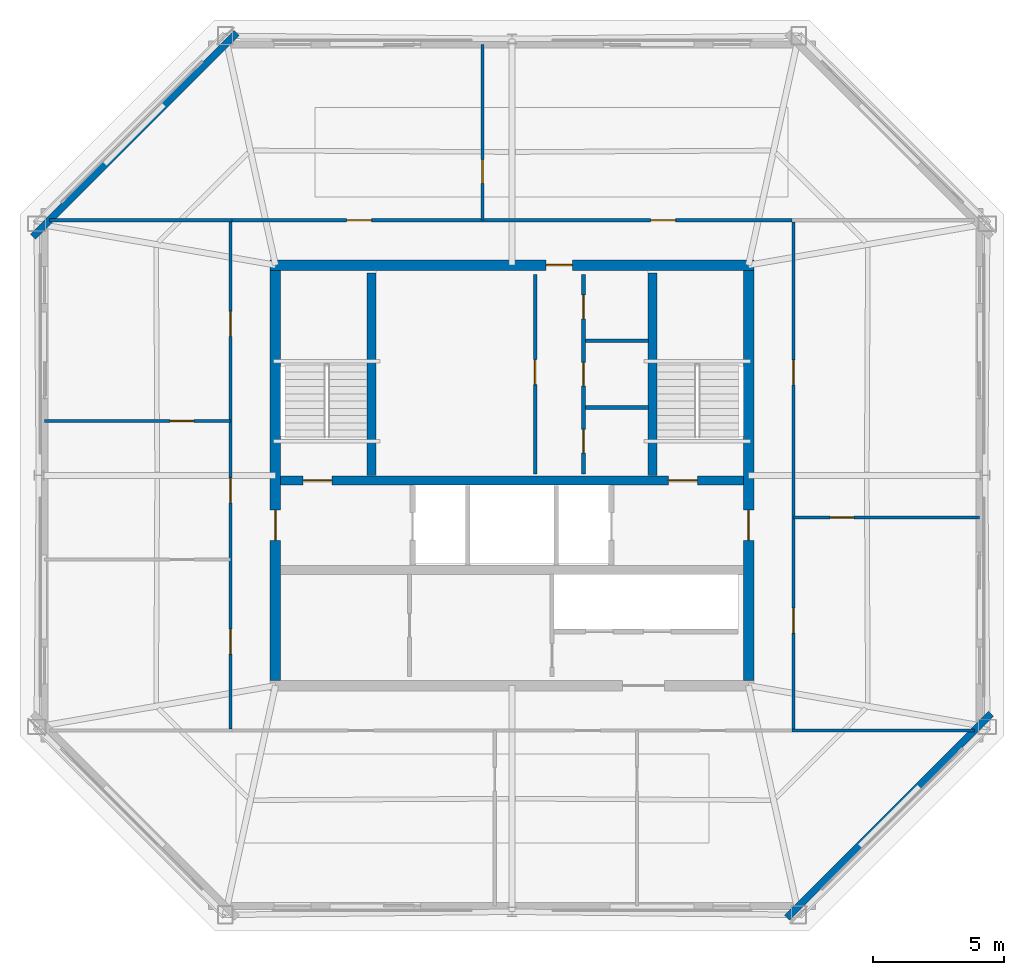
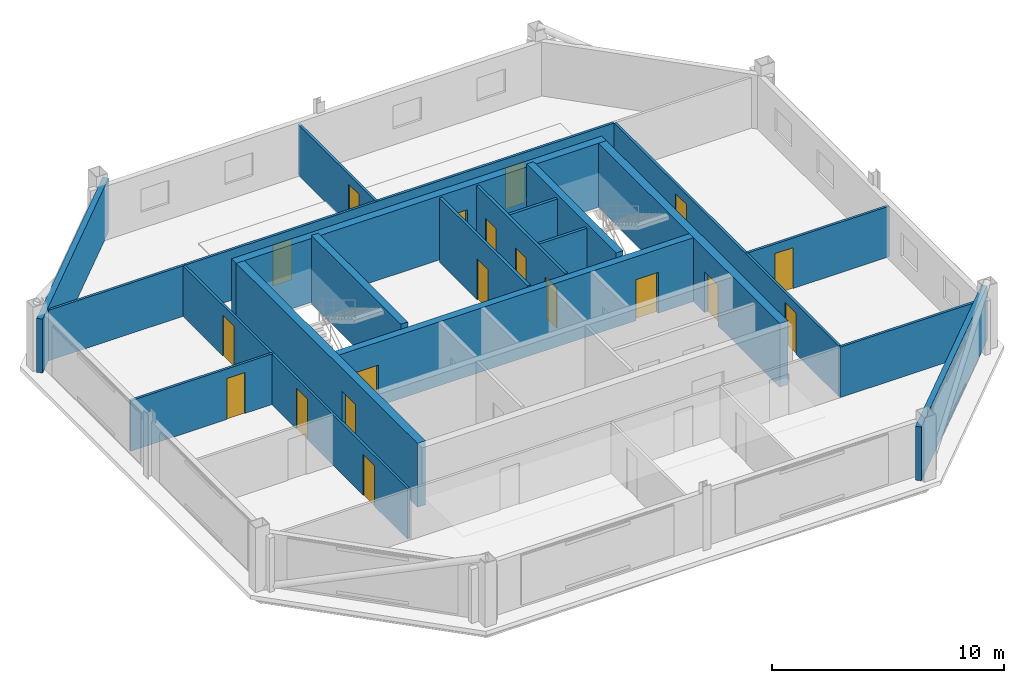
# One storey, part 3 of 6: 20 walls, 19 doors, 19 openings.
"""IFC4 building model written with IfcOpenShell, lengths in metres."""

from ifc_helpers import new_model, si_unit, direction, frame, frame_2d, origin, place, context, subcontext, project, spatial, rectangle, extrude, material, layer, layer_set, type_object, element, fill, save


model = new_model("IFC4")

# Units and contexts
model_context = context("Model", 3, precision=1e-05, world=origin(), true_north=direction((0.0, 1.0)))
body_context = subcontext(model_context, "Body", "Model", "MODEL_VIEW")
ifc_project = project(units=[si_unit("LENGTHUNIT", "METRE"), si_unit("AREAUNIT", "SQUARE_METRE"), si_unit("VOLUMEUNIT", "CUBIC_METRE"), si_unit("PLANEANGLEUNIT", "RADIAN"), si_unit("MASSUNIT", "GRAM", prefix="KILO")], contexts=[model_context])

# Site, building, storey
site_placement = place(None, origin())
site = spatial("IfcSite", under=ifc_project, at=site_placement, CompositionType="ELEMENT")
building_placement = place(site_placement, origin())
building = spatial("IfcBuilding", under=site, at=building_placement, Name="Caelvoria Tower", CompositionType="ELEMENT")
storey_placement = place(building_placement, frame((0.0, 0.0, 264.60009765625)))
storey = spatial("IfcBuildingStorey", under=building, at=storey_placement, Name="L70", CompositionType="ELEMENT", Elevation=264.60009765625)

# Wall, openings, doors
ifc_material_1 = material(Name="Concrete C50/60", Category="concrete")
ifc_layer_1 = layer(ifc_material_1, 0.35009765625, Name="Concrete C50/60")
ifc_layer_set_1 = layer_set([ifc_layer_1], Name="Core Internal Shear Wall 350 - Concrete C50/60")
wall_type_1 = type_object("IfcWallType", Name="Core Internal Shear Wall 350", PredefinedType="SHEAR", material=ifc_layer_set_1)
wall_1_placement = place(storey_placement, frame((37.199951171875, 31.800048828125, 0.0), z_axis=(0.0, 0.0, 1.0), x_axis=(1.0, 0.0, 0.0)))
wall_1 = element("IfcWall", 1, at=wall_1_placement, inside=storey, type_object=wall_type_1, Name="Core Shear Wall L70 M1", PredefinedType="SHEAR", context=body_context, shape_type="SweptSolid", body=[
    extrude(rectangle(XDim=17.60009765625, YDim=0.35009765625, at=frame_2d((8.800048828125, 0.0))), origin(), (0.0, 0.0, 1.0), 3.35986328125),
])
opening_1_placement = place(wall_1_placement, frame((0.85009765625, 0.0, 0.0)))
opening_1 = element("IfcOpeningElement", 2, at=opening_1_placement, cuts=wall_1, Name="Opening ID-01", PredefinedType="OPENING", context=body_context, shape_type="SweptSolid", body=[
    extrude(rectangle(XDim=1.10009765625, YDim=2.14990234375, at=frame_2d((0.550048828125, 1.074951171875))), frame((0.0, 0.18505859375, 0.0), z_axis=(0.0, -1.0, 0.0), x_axis=(1.0, 0.0, 0.0)), (0.0, 0.0, 1.0), 0.3701171875),
])
opening_2_placement = place(wall_1_placement, frame((14.75, 0.0, 0.0)))
opening_2 = element("IfcOpeningElement", 3, at=opening_2_placement, cuts=wall_1, Name="Opening ID-01", PredefinedType="OPENING", context=body_context, shape_type="SweptSolid", body=[
    extrude(rectangle(XDim=1.10009765625, YDim=2.14990234375, at=frame_2d((0.550048828125, 1.074951171875))), frame((0.0, 0.18505859375, 0.0), z_axis=(0.0, -1.0, 0.0), x_axis=(1.0, 0.0, 0.0)), (0.0, 0.0, 1.0), 0.3701171875),
])
ifc_material_2 = material(Name="Painted Hollow Steel Fire Door", Category="steel")
door_type_1 = type_object("IfcDoorType", Name="Fire Door FD90S 1100x2150", OperationType="NOTDEFINED", PredefinedType="DOOR", material=ifc_material_2)
door_1_placement = place(opening_1_placement, origin())
door_1 = element("IfcDoor", 4, at=door_1_placement, inside=storey, type_object=door_type_1, Name="Core Door DR-L70-ST1", OperationType="SINGLE_SWING_LEFT", OverallHeight=2.14990234375, OverallWidth=1.10009765625, PredefinedType="DOOR", context=body_context, shape_type="SweptSolid", body=[
    extrude(rectangle(XDim=1.10009765625, YDim=2.14990234375, at=frame_2d((0.550048828125, 1.074951171875))), frame((0.0, 0.02490234375, 0.0), z_axis=(0.0, -1.0, 0.0), x_axis=(1.0, 0.0, 0.0)), (0.0, 0.0, 1.0), 0.050048828125),
])
fill(opening_1, door_1)
door_2_placement = place(opening_2_placement, origin())
door_2 = element("IfcDoor", 5, at=door_2_placement, inside=storey, type_object=door_type_1, Name="Core Door DR-L70-ST2", OperationType="SINGLE_SWING_RIGHT", OverallHeight=2.14990234375, OverallWidth=1.10009765625, PredefinedType="DOOR", context=body_context, shape_type="SweptSolid", body=[
    extrude(rectangle(XDim=1.10009765625, YDim=2.14990234375, at=frame_2d((0.550048828125, 1.074951171875))), frame((0.0, 0.02490234375, 0.0), z_axis=(0.0, -1.0, 0.0), x_axis=(1.0, 0.0, 0.0)), (0.0, 0.0, 1.0), 0.050048828125),
])
fill(opening_2, door_2)

# Walls
for number, where, z_axis, x_axis, name in (
    (6, (40.64990234375, 32.0, 0.0), (0.0, 0.0, 1.0), (0.0, 1.0, 0.0), "Interior Partition IW-L70-ST1E"),
    (7, (51.35009765625, 32.0, 0.0), (0.0, 0.0, 1.0), (0.0, 1.0, 0.0), "Interior Partition IW-L70-ST2W"),
):
    element("IfcWall", number, at=place(storey_placement, frame(where, z_axis=z_axis, x_axis=x_axis)), inside=storey, type_object=wall_type_1, Name=name, PredefinedType="SHEAR", context=body_context, shape_type="SweptSolid", body=[
        extrude(rectangle(XDim=7.699951171875, YDim=0.35009765625, at=frame_2d((3.85009765625, 0.0))), origin(), (0.0, 0.0, 1.0), 3.599853515625),
    ])

# Wall, opening, door
ifc_material_3 = material(Name="Moisture-Resistant Gypsum on Steel Stud", Category="steel")
ifc_layer_2 = layer(ifc_material_3, 0.139892578125, Name="Moisture-Resistant Gypsum on Steel Stud")
ifc_layer_set_2 = layer_set([ifc_layer_2], Name="Core Sanitary Acoustic Partition Wall 140 - Moisture-Resistant Gypsum on Steel Stud")
wall_type_2 = type_object("IfcWallType", Name="Core Sanitary Acoustic Partition Wall 140", PredefinedType="PARTITIONING", material=ifc_layer_set_2)
wall_2_placement = place(storey_placement, frame((46.8798828125, 32.050048828125, 0.0), z_axis=(0.0, 0.0, 1.0), x_axis=(0.0, 1.0, 0.0)))
wall_2 = element("IfcWall", 8, at=wall_2_placement, inside=storey, type_object=wall_type_2, Name="Interior Partition IW-L70-C2L", PredefinedType="PARTITIONING", context=body_context, shape_type="SweptSolid", body=[
    extrude(rectangle(XDim=7.599853515625, YDim=0.139892578125, at=frame_2d((3.7998046875, 0.0))), origin(), (0.0, 0.0, 1.0), 3.375),
])
opening_3_placement = place(wall_2_placement, frame((3.39990234375, 0.0, 0.0)))
opening_3 = element("IfcOpeningElement", 9, at=opening_3_placement, cuts=wall_2, Name="Opening ID-05", PredefinedType="OPENING", context=body_context, shape_type="SweptSolid", body=[
    extrude(rectangle(XDim=0.949951171875, YDim=2.14990234375, at=frame_2d((0.47509765625, 1.074951171875))), frame((0.0, 0.079833984375, 0.0), z_axis=(0.0, -1.0, 0.0), x_axis=(1.0, 0.0, 0.0)), (0.0, 0.0, 1.0), 0.159912109375),
])
ifc_material_4 = material(Name="Engineered Andean Oak Veneer Door", Category="wood")
door_type_2 = type_object("IfcDoorType", Name="Interior Timber Door 950x2150", OperationType="NOTDEFINED", PredefinedType="DOOR", material=ifc_material_4)
door_3_placement = place(opening_3_placement, origin())
door_3 = element("IfcDoor", 10, at=door_3_placement, inside=storey, type_object=door_type_2, Name="Interior Door DR-L70-C2W", OperationType="SINGLE_SWING_LEFT", OverallHeight=2.14990234375, OverallWidth=0.949951171875, PredefinedType="DOOR", context=body_context, shape_type="SweptSolid", body=[
    extrude(rectangle(XDim=0.949951171875, YDim=2.14990234375, at=frame_2d((0.47509765625, 1.074951171875))), frame((0.0, 0.02490234375, 0.0), z_axis=(0.0, -1.0, 0.0), x_axis=(1.0, 0.0, 0.0)), (0.0, 0.0, 1.0), 0.050048828125),
])
fill(opening_3, door_3)

# Wall, openings, doors
wall_3_placement = place(storey_placement, frame((48.719970703125, 32.050048828125, 0.0), z_axis=(0.0, 0.0, 1.0), x_axis=(0.0, 1.0, 0.0)))
wall_3 = element("IfcWall", 11, at=wall_3_placement, inside=storey, type_object=wall_type_2, Name="Interior Partition IW-L70-C2R", PredefinedType="PARTITIONING", context=body_context, shape_type="SweptSolid", body=[
    extrude(rectangle(XDim=7.599853515625, YDim=0.139892578125, at=frame_2d((3.7998046875, 0.0))), origin(), (0.0, 0.0, 1.0), 3.375),
])
opening_4_placement = place(wall_3_placement, frame((0.800048828125, 0.0, 0.0)))
opening_4 = element("IfcOpeningElement", 12, at=opening_4_placement, cuts=wall_3, Name="Opening ID-04", PredefinedType="OPENING", context=body_context, shape_type="SweptSolid", body=[
    extrude(rectangle(XDim=0.89990234375, YDim=2.14990234375, at=frame_2d((0.449951171875, 1.074951171875))), frame((0.0, 0.079833984375, 0.0), z_axis=(0.0, -1.0, 0.0), x_axis=(1.0, 0.0, 0.0)), (0.0, 0.0, 1.0), 0.159912109375),
])
opening_5_placement = place(wall_3_placement, frame((3.35009765625, 0.0, 0.0)))
opening_5 = element("IfcOpeningElement", 13, at=opening_5_placement, cuts=wall_3, Name="Opening ID-06", PredefinedType="OPENING", context=body_context, shape_type="SweptSolid", body=[
    extrude(rectangle(XDim=0.89990234375, YDim=2.14990234375, at=frame_2d((0.449951171875, 1.074951171875))), frame((0.0, 0.079833984375, 0.0), z_axis=(0.0, -1.0, 0.0), x_axis=(1.0, 0.0, 0.0)), (0.0, 0.0, 1.0), 0.159912109375),
])
opening_6_placement = place(wall_3_placement, frame((5.89990234375, 0.0, 0.0)))
opening_6 = element("IfcOpeningElement", 14, at=opening_6_placement, cuts=wall_3, Name="Opening ID-07", PredefinedType="OPENING", context=body_context, shape_type="SweptSolid", body=[
    extrude(rectangle(XDim=0.919921875, YDim=2.14990234375, at=frame_2d((0.4599609375, 1.074951171875))), frame((0.0, 0.079833984375, 0.0), z_axis=(0.0, -1.0, 0.0), x_axis=(1.0, 0.0, 0.0)), (0.0, 0.0, 1.0), 0.159912109375),
])
ifc_material_5 = material(Name="Engineered Andean Oak Accessible Door", Category="wood")
door_type_3 = type_object("IfcDoorType", Name="Accessible WC Door 950x2150", OperationType="NOTDEFINED", PredefinedType="DOOR", material=ifc_material_5)
door_4_placement = place(opening_6_placement, origin())
door_4 = element("IfcDoor", 15, at=door_4_placement, inside=storey, type_object=door_type_3, Name="Interior Door DR-L70-C2E3", OperationType="SINGLE_SWING_RIGHT", OverallHeight=2.14990234375, OverallWidth=0.919921875, PredefinedType="DOOR", context=body_context, shape_type="SweptSolid", body=[
    extrude(rectangle(XDim=0.919921875, YDim=2.14990234375, at=frame_2d((0.4599609375, 1.074951171875))), frame((0.0, 0.02490234375, 0.0), z_axis=(0.0, -1.0, 0.0), x_axis=(1.0, 0.0, 0.0)), (0.0, 0.0, 1.0), 0.050048828125),
])
fill(opening_6, door_4)
ifc_material_6 = material(Name="Acoustic Timber Fire Door", Category="wood")
door_type_4 = type_object("IfcDoorType", Name="Fire Door FD30S 900x2150", OperationType="NOTDEFINED", PredefinedType="DOOR", material=ifc_material_6)
door_5_placement = place(opening_4_placement, origin())
door_5 = element("IfcDoor", 16, at=door_5_placement, inside=storey, type_object=door_type_4, Name="Interior Door DR-L70-C2E1", OperationType="SINGLE_SWING_RIGHT", OverallHeight=2.14990234375, OverallWidth=0.89990234375, PredefinedType="DOOR", context=body_context, shape_type="SweptSolid", body=[
    extrude(rectangle(XDim=0.89990234375, YDim=2.14990234375, at=frame_2d((0.449951171875, 1.074951171875))), frame((0.0, 0.02490234375, 0.0), z_axis=(0.0, -1.0, 0.0), x_axis=(1.0, 0.0, 0.0)), (0.0, 0.0, 1.0), 0.050048828125),
])
fill(opening_4, door_5)
door_type_5 = type_object("IfcDoorType", Name="Interior Timber Door 900x2150", OperationType="NOTDEFINED", PredefinedType="DOOR", material=ifc_material_4)
door_6_placement = place(opening_5_placement, origin())
door_6 = element("IfcDoor", 17, at=door_6_placement, inside=storey, type_object=door_type_5, Name="Interior Door DR-L70-C2E2", OperationType="SINGLE_SWING_LEFT", OverallHeight=2.14990234375, OverallWidth=0.89990234375, PredefinedType="DOOR", context=body_context, shape_type="SweptSolid", body=[
    extrude(rectangle(XDim=0.89990234375, YDim=2.14990234375, at=frame_2d((0.449951171875, 1.074951171875))), frame((0.0, 0.02490234375, 0.0), z_axis=(0.0, -1.0, 0.0), x_axis=(1.0, 0.0, 0.0)), (0.0, 0.0, 1.0), 0.050048828125),
])
fill(opening_5, door_6)

# Walls
for number, where, z_axis, x_axis, name in (
    (18, (48.800048828125, 34.580078125, 0.0), (0.0, 0.0, 1.0), (1.0, 0.0, 0.0), "Interior Partition IW-L70-C2H1"),
    (19, (48.800048828125, 37.1201171875, 0.0), (0.0, 0.0, 1.0), (1.0, 0.0, 0.0), "Interior Partition IW-L70-C2H2"),
):
    element("IfcWall", number, at=place(storey_placement, frame(where, z_axis=z_axis, x_axis=x_axis)), inside=storey, type_object=wall_type_2, Name=name, PredefinedType="PARTITIONING", context=body_context, shape_type="SweptSolid", body=[
        extrude(rectangle(XDim=2.39990234375, YDim=0.139892578125, at=frame_2d((1.199951171875, 0.0))), origin(), (0.0, 0.0, 1.0), 3.375),
    ])

# Wall, opening, door
ifc_layer_3 = layer(ifc_material_1, 0.39990234375, Name="Concrete C50/60")
ifc_layer_set_3 = layer_set([ifc_layer_3], Name="Summit Core Shear Wall 400 - Concrete C50/60")
wall_type_3 = type_object("IfcWallType", Name="Summit Core Shear Wall 400", PredefinedType="SHEAR", material=ifc_layer_set_3)
wall_4_placement = place(storey_placement, frame((36.800048828125, 40.0, 0.0), z_axis=(0.0, 0.0, 1.0), x_axis=(1.0, 0.0, 0.0)))
wall_4 = element("IfcWall", 20, at=wall_4_placement, inside=storey, type_object=wall_type_3, Name="Core Shear Wall L70 N", PredefinedType="SHEAR", context=body_context, shape_type="SweptSolid", body=[
    extrude(rectangle(XDim=18.39990234375, YDim=0.39990234375, at=frame_2d((9.199951171875, 0.0))), origin(), (0.0, 0.0, 1.0), 3.35986328125),
])
opening_7_placement = place(wall_4_placement, frame((10.5, 0.0, 0.0)))
opening_7 = element("IfcOpeningElement", 21, at=opening_7_placement, cuts=wall_4, Name="Opening ID-03", PredefinedType="OPENING", context=body_context, shape_type="SweptSolid", body=[
    extrude(rectangle(XDim=1.0, YDim=2.14990234375, at=frame_2d((0.5, 1.074951171875))), frame((0.0, 0.2099609375, 0.0), z_axis=(0.0, -1.0, 0.0), x_axis=(1.0, 0.0, 0.0)), (0.0, 0.0, 1.0), 0.419921875),
])
door_type_6 = type_object("IfcDoorType", Name="Fire Door FD60S 1000x2150", OperationType="NOTDEFINED", PredefinedType="DOOR", material=ifc_material_2)
door_7_placement = place(opening_7_placement, origin())
door_7 = element("IfcDoor", 22, at=door_7_placement, inside=storey, type_object=door_type_6, Name="Core Door DR-L70-WC-MAIN", OperationType="SINGLE_SWING_RIGHT", OverallHeight=2.14990234375, OverallWidth=1.0, PredefinedType="DOOR", context=body_context, shape_type="SweptSolid", body=[
    extrude(rectangle(XDim=1.0, YDim=2.14990234375, at=frame_2d((0.5, 1.074951171875))), frame((0.0, 0.02490234375, 0.0), z_axis=(0.0, -1.0, 0.0), x_axis=(1.0, 0.0, 0.0)), (0.0, 0.0, 1.0), 0.050048828125),
])
fill(opening_7, door_7)

wall_5_placement = place(storey_placement, frame((37.0, 24.199951171875, 0.0), z_axis=(0.0, 0.0, 1.0), x_axis=(0.0, 1.0, 0.0)))
wall_5 = element("IfcWall", 23, at=wall_5_placement, inside=storey, type_object=wall_type_3, Name="Core Shear Wall L70 W", PredefinedType="SHEAR", context=body_context, shape_type="SweptSolid", body=[
    extrude(rectangle(XDim=15.60009765625, YDim=0.39990234375, at=frame_2d((7.800048828125, 0.0))), origin(), (0.0, 0.0, 1.0), 3.35986328125),
])
opening_8_placement = place(wall_5_placement, frame((5.324951171875, 0.0, 0.0)))
opening_8 = element("IfcOpeningElement", 24, at=opening_8_placement, cuts=wall_5, Name="Opening ID-02", PredefinedType="OPENING", context=body_context, shape_type="SweptSolid", body=[
    extrude(rectangle(XDim=1.14990234375, YDim=2.14990234375, at=frame_2d((0.574951171875, 1.074951171875))), frame((0.0, 0.2099609375, 0.0), z_axis=(0.0, -1.0, 0.0), x_axis=(1.0, 0.0, 0.0)), (0.0, 0.0, 1.0), 0.419921875),
])
door_type_7 = type_object("IfcDoorType", Name="Fire Door FD60S 1150x2150", OperationType="NOTDEFINED", PredefinedType="DOOR", material=ifc_material_2)
door_8_placement = place(opening_8_placement, origin())
door_8 = element("IfcDoor", 25, at=door_8_placement, inside=storey, type_object=door_type_7, Name="Core Door DR-L70-FFLW-OUT", OperationType="SINGLE_SWING_LEFT", OverallHeight=2.14990234375, OverallWidth=1.14990234375, PredefinedType="DOOR", context=body_context, shape_type="SweptSolid", body=[
    extrude(rectangle(XDim=1.14990234375, YDim=2.14990234375, at=frame_2d((0.574951171875, 1.074951171875))), frame((0.0, 0.02490234375, 0.0), z_axis=(0.0, -1.0, 0.0), x_axis=(1.0, 0.0, 0.0)), (0.0, 0.0, 1.0), 0.050048828125),
])
fill(opening_8, door_8)

wall_6_placement = place(storey_placement, frame((55.0, 24.199951171875, 0.0), z_axis=(0.0, 0.0, 1.0), x_axis=(0.0, 1.0, 0.0)))
wall_6 = element("IfcWall", 26, at=wall_6_placement, inside=storey, type_object=wall_type_3, Name="Core Shear Wall L70 E", PredefinedType="SHEAR", context=body_context, shape_type="SweptSolid", body=[
    extrude(rectangle(XDim=15.60009765625, YDim=0.39990234375, at=frame_2d((7.800048828125, 0.0))), origin(), (0.0, 0.0, 1.0), 3.35986328125),
])
opening_9_placement = place(wall_6_placement, frame((5.324951171875, 0.0, 0.0)))
opening_9 = element("IfcOpeningElement", 27, at=opening_9_placement, cuts=wall_6, Name="Opening ID-02", PredefinedType="OPENING", context=body_context, shape_type="SweptSolid", body=[
    extrude(rectangle(XDim=1.14990234375, YDim=2.14990234375, at=frame_2d((0.574951171875, 1.074951171875))), frame((0.0, 0.2099609375, 0.0), z_axis=(0.0, -1.0, 0.0), x_axis=(1.0, 0.0, 0.0)), (0.0, 0.0, 1.0), 0.419921875),
])
door_9_placement = place(opening_9_placement, origin())
door_9 = element("IfcDoor", 28, at=door_9_placement, inside=storey, type_object=door_type_7, Name="Core Door DR-L70-FFLE-OUT", OperationType="SINGLE_SWING_RIGHT", OverallHeight=2.14990234375, OverallWidth=1.14990234375, PredefinedType="DOOR", context=body_context, shape_type="SweptSolid", body=[
    extrude(rectangle(XDim=1.14990234375, YDim=2.14990234375, at=frame_2d((0.574951171875, 1.074951171875))), frame((0.0, 0.02490234375, 0.0), z_axis=(0.0, -1.0, 0.0), x_axis=(1.0, 0.0, 0.0)), (0.0, 0.0, 1.0), 0.050048828125),
])
fill(opening_9, door_9)

ifc_material_7 = material(Name="Acoustic Gypsum Board on Light-Gauge Stud", Category="gypsum")
ifc_layer_4 = layer(ifc_material_7, 0.1201171875, Name="Acoustic Gypsum Board on Light-Gauge Stud")
ifc_layer_set_4 = layer_set([ifc_layer_4], Name="Tenant Suite Acoustic Partition Wall 120 - Acoustic Gypsum Board on Light-Gauge Stud")
wall_type_4 = type_object("IfcWallType", Name="Tenant Suite Acoustic Partition Wall 120", PredefinedType="PARTITIONING", material=ifc_layer_set_4)
wall_7_placement = place(storey_placement, frame((44.882080078125, 41.7099609375, 0.0), z_axis=(0.0, 0.0, 1.0), x_axis=(0.0, 1.0, 0.0)))
wall_7 = element("IfcWall", 29, at=wall_7_placement, inside=storey, type_object=wall_type_4, Name="Interior Partition IW-L70-ND-00-0", PredefinedType="PARTITIONING", context=body_context, shape_type="SweptSolid", body=[
    extrude(rectangle(XDim=6.67724609375, YDim=0.1201171875, at=frame_2d((3.338623046875, 0.0))), origin(), (0.0, 0.0, 1.0), 2.65478515625),
])
opening_10_placement = place(wall_7_placement, frame((1.39990234375, 0.0, 0.0)))
opening_10 = element("IfcOpeningElement", 30, at=opening_10_placement, cuts=wall_7, Name="Opening ID-06", PredefinedType="OPENING", context=body_context, shape_type="SweptSolid", body=[
    extrude(rectangle(XDim=0.89990234375, YDim=2.14990234375, at=frame_2d((0.449951171875, 1.074951171875))), frame((0.0, 0.070068359375, 0.0), z_axis=(0.0, -1.0, 0.0), x_axis=(1.0, 0.0, 0.0)), (0.0, 0.0, 1.0), 0.14013671875),
])
door_10_placement = place(opening_10_placement, origin())
door_10 = element("IfcDoor", 31, at=door_10_placement, inside=storey, type_object=door_type_5, Name="Interior Door DR-L70-NM-00-0", OperationType="SINGLE_SWING_RIGHT", OverallHeight=2.14990234375, OverallWidth=0.89990234375, PredefinedType="DOOR", context=body_context, shape_type="SweptSolid", body=[
    extrude(rectangle(XDim=0.89990234375, YDim=2.14990234375, at=frame_2d((0.449951171875, 1.074951171875))), frame((0.0, 0.02490234375, 0.0), z_axis=(0.0, -1.0, 0.0), x_axis=(1.0, 0.0, 0.0)), (0.0, 0.0, 1.0), 0.050048828125),
])
fill(opening_10, door_10)

# Wall, openings, doors
wall_8_placement = place(storey_placement, frame((35.35009765625, 41.7099609375, 0.0), z_axis=(0.0, 0.0, 1.0), x_axis=(1.0, 0.0, 0.0)))
wall_8 = element("IfcWall", 32, at=wall_8_placement, inside=storey, type_object=wall_type_4, Name="Interior Partition IW-L70-NCW-0", PredefinedType="PARTITIONING", context=body_context, shape_type="SweptSolid", body=[
    extrude(rectangle(XDim=21.2998046875, YDim=0.1201171875, at=frame_2d((10.64990234375, 0.0))), origin(), (0.0, 0.0, 1.0), 2.65478515625),
])
opening_11_placement = place(wall_8_placement, frame((4.361083984375, 0.0, 0.0)))
opening_11 = element("IfcOpeningElement", 33, at=opening_11_placement, cuts=wall_8, Name="Opening ID-05", PredefinedType="OPENING", context=body_context, shape_type="SweptSolid", body=[
    extrude(rectangle(XDim=0.949951171875, YDim=2.14990234375, at=frame_2d((0.47509765625, 1.074951171875))), frame((0.0, 0.070068359375, 0.0), z_axis=(0.0, -1.0, 0.0), x_axis=(1.0, 0.0, 0.0)), (0.0, 0.0, 1.0), 0.14013671875),
])
opening_12_placement = place(wall_8_placement, frame((15.925048828125, 0.0, 0.0)))
opening_12 = element("IfcOpeningElement", 34, at=opening_12_placement, cuts=wall_8, Name="Opening ID-05", PredefinedType="OPENING", context=body_context, shape_type="SweptSolid", body=[
    extrude(rectangle(XDim=0.949951171875, YDim=2.14990234375, at=frame_2d((0.47509765625, 1.074951171875))), frame((0.0, 0.070068359375, 0.0), z_axis=(0.0, -1.0, 0.0), x_axis=(1.0, 0.0, 0.0)), (0.0, 0.0, 1.0), 0.14013671875),
])
door_11_placement = place(opening_11_placement, origin())
door_11 = element("IfcDoor", 35, at=door_11_placement, inside=storey, type_object=door_type_2, Name="Interior Door DR-L70-NC-00-0", OperationType="SINGLE_SWING_LEFT", OverallHeight=2.14990234375, OverallWidth=0.949951171875, PredefinedType="DOOR", context=body_context, shape_type="SweptSolid", body=[
    extrude(rectangle(XDim=0.949951171875, YDim=2.14990234375, at=frame_2d((0.47509765625, 1.074951171875))), frame((0.0, 0.02490234375, 0.0), z_axis=(0.0, -1.0, 0.0), x_axis=(1.0, 0.0, 0.0)), (0.0, 0.0, 1.0), 0.050048828125),
])
fill(opening_11, door_11)
door_12_placement = place(opening_12_placement, origin())
door_12 = element("IfcDoor", 36, at=door_12_placement, inside=storey, type_object=door_type_2, Name="Interior Door DR-L70-NC-01-0", OperationType="SINGLE_SWING_RIGHT", OverallHeight=2.14990234375, OverallWidth=0.949951171875, PredefinedType="DOOR", context=body_context, shape_type="SweptSolid", body=[
    extrude(rectangle(XDim=0.949951171875, YDim=2.14990234375, at=frame_2d((0.47509765625, 1.074951171875))), frame((0.0, 0.02490234375, 0.0), z_axis=(0.0, -1.0, 0.0), x_axis=(1.0, 0.0, 0.0)), (0.0, 0.0, 1.0), 0.050048828125),
])
fill(opening_12, door_12)

# Wall, opening, door
wall_9_placement = place(storey_placement, frame((35.2900390625, 34.069091796875, 0.0), z_axis=(0.0, 0.0, 1.0), x_axis=(-1.0, 0.0, 0.0)))
wall_9 = element("IfcWall", 37, at=wall_9_placement, inside=storey, type_object=wall_type_4, Name="Interior Partition IW-L70-WD-01-0", PredefinedType="PARTITIONING", context=body_context, shape_type="SweptSolid", body=[
    extrude(rectangle(XDim=7.07275390625, YDim=0.1201171875, at=frame_2d((3.536376953125, 0.0))), origin(), (0.0, 0.0, 1.0), 2.65478515625),
])
opening_13_placement = place(wall_9_placement, frame((1.39990234375, 0.0, 0.0)))
opening_13 = element("IfcOpeningElement", 38, at=opening_13_placement, cuts=wall_9, Name="Opening ID-06", PredefinedType="OPENING", context=body_context, shape_type="SweptSolid", body=[
    extrude(rectangle(XDim=0.89990234375, YDim=2.14990234375, at=frame_2d((0.449951171875, 1.074951171875))), frame((0.0, 0.070068359375, 0.0), z_axis=(0.0, -1.0, 0.0), x_axis=(1.0, 0.0, 0.0)), (0.0, 0.0, 1.0), 0.14013671875),
])
door_13_placement = place(opening_13_placement, origin())
door_13 = element("IfcDoor", 39, at=door_13_placement, inside=storey, type_object=door_type_5, Name="Interior Door DR-L70-WM-01-0", OperationType="SINGLE_SWING_LEFT", OverallHeight=2.14990234375, OverallWidth=0.89990234375, PredefinedType="DOOR", context=body_context, shape_type="SweptSolid", body=[
    extrude(rectangle(XDim=0.89990234375, YDim=2.14990234375, at=frame_2d((0.449951171875, 1.074951171875))), frame((0.0, 0.02490234375, 0.0), z_axis=(0.0, -1.0, 0.0), x_axis=(1.0, 0.0, 0.0)), (0.0, 0.0, 1.0), 0.050048828125),
])
fill(opening_13, door_13)

# Wall, openings, doors
wall_10_placement = place(storey_placement, frame((35.2900390625, 22.35009765625, 0.0), z_axis=(0.0, 0.0, 1.0), x_axis=(0.0, 1.0, 0.0)))
wall_10 = element("IfcWall", 40, at=wall_10_placement, inside=storey, type_object=wall_type_4, Name="Interior Partition IW-L70-WCW-0", PredefinedType="PARTITIONING", context=body_context, shape_type="SweptSolid", body=[
    extrude(rectangle(XDim=19.2998046875, YDim=0.1201171875, at=frame_2d((9.64990234375, 0.0))), origin(), (0.0, 0.0, 1.0), 2.65478515625),
])
opening_14_placement = place(wall_10_placement, frame((2.8466796875, 0.0, 0.0)))
opening_14 = element("IfcOpeningElement", 41, at=opening_14_placement, cuts=wall_10, Name="Opening ID-05", PredefinedType="OPENING", context=body_context, shape_type="SweptSolid", body=[
    extrude(rectangle(XDim=0.949951171875, YDim=2.14990234375, at=frame_2d((0.47509765625, 1.074951171875))), frame((0.0, 0.070068359375, 0.0), z_axis=(0.0, -1.0, 0.0), x_axis=(1.0, 0.0, 0.0)), (0.0, 0.0, 1.0), 0.14013671875),
])
opening_15_placement = place(wall_10_placement, frame((8.6064453125, 0.0, 0.0)))
opening_15 = element("IfcOpeningElement", 42, at=opening_15_placement, cuts=wall_10, Name="Opening ID-05", PredefinedType="OPENING", context=body_context, shape_type="SweptSolid", body=[
    extrude(rectangle(XDim=0.949951171875, YDim=2.14990234375, at=frame_2d((0.47509765625, 1.074951171875))), frame((0.0, 0.070068359375, 0.0), z_axis=(0.0, -1.0, 0.0), x_axis=(1.0, 0.0, 0.0)), (0.0, 0.0, 1.0), 0.14013671875),
])
opening_16_placement = place(wall_10_placement, frame((14.9345703125, 0.0, 0.0)))
opening_16 = element("IfcOpeningElement", 43, at=opening_16_placement, cuts=wall_10, Name="Opening ID-05", PredefinedType="OPENING", context=body_context, shape_type="SweptSolid", body=[
    extrude(rectangle(XDim=0.949951171875, YDim=2.14990234375, at=frame_2d((0.47509765625, 1.074951171875))), frame((0.0, 0.070068359375, 0.0), z_axis=(0.0, -1.0, 0.0), x_axis=(1.0, 0.0, 0.0)), (0.0, 0.0, 1.0), 0.14013671875),
])
door_14_placement = place(opening_14_placement, origin())
door_14 = element("IfcDoor", 44, at=door_14_placement, inside=storey, type_object=door_type_2, Name="Interior Door DR-L70-WC-00-0", OperationType="SINGLE_SWING_LEFT", OverallHeight=2.14990234375, OverallWidth=0.949951171875, PredefinedType="DOOR", context=body_context, shape_type="SweptSolid", body=[
    extrude(rectangle(XDim=0.949951171875, YDim=2.14990234375, at=frame_2d((0.47509765625, 1.074951171875))), frame((0.0, 0.02490234375, 0.0), z_axis=(0.0, -1.0, 0.0), x_axis=(1.0, 0.0, 0.0)), (0.0, 0.0, 1.0), 0.050048828125),
])
fill(opening_14, door_14)
door_15_placement = place(opening_15_placement, origin())
door_15 = element("IfcDoor", 45, at=door_15_placement, inside=storey, type_object=door_type_2, Name="Interior Door DR-L70-WC-01-0", OperationType="SINGLE_SWING_RIGHT", OverallHeight=2.14990234375, OverallWidth=0.949951171875, PredefinedType="DOOR", context=body_context, shape_type="SweptSolid", body=[
    extrude(rectangle(XDim=0.949951171875, YDim=2.14990234375, at=frame_2d((0.47509765625, 1.074951171875))), frame((0.0, 0.02490234375, 0.0), z_axis=(0.0, -1.0, 0.0), x_axis=(1.0, 0.0, 0.0)), (0.0, 0.0, 1.0), 0.050048828125),
])
fill(opening_15, door_15)
door_16_placement = place(opening_16_placement, origin())
door_16 = element("IfcDoor", 46, at=door_16_placement, inside=storey, type_object=door_type_2, Name="Interior Door DR-L70-WC-02-0", OperationType="SINGLE_SWING_LEFT", OverallHeight=2.14990234375, OverallWidth=0.949951171875, PredefinedType="DOOR", context=body_context, shape_type="SweptSolid", body=[
    extrude(rectangle(XDim=0.949951171875, YDim=2.14990234375, at=frame_2d((0.47509765625, 1.074951171875))), frame((0.0, 0.02490234375, 0.0), z_axis=(0.0, -1.0, 0.0), x_axis=(1.0, 0.0, 0.0)), (0.0, 0.0, 1.0), 0.050048828125),
])
fill(opening_16, door_16)

# Wall, opening, door
wall_11_placement = place(storey_placement, frame((56.7099609375, 30.392333984375, 0.0), z_axis=(0.0, 0.0, 1.0), x_axis=(1.0, 0.0, 0.0)))
wall_11 = element("IfcWall", 47, at=wall_11_placement, inside=storey, type_object=wall_type_4, Name="Interior Partition IW-L70-ED-00-0", PredefinedType="PARTITIONING", context=body_context, shape_type="SweptSolid", body=[
    extrude(rectangle(XDim=7.07275390625, YDim=0.1201171875, at=frame_2d((3.536376953125, 0.0))), origin(), (0.0, 0.0, 1.0), 2.65478515625),
])
opening_17_placement = place(wall_11_placement, frame((1.39990234375, 0.0, 0.0)))
opening_17 = element("IfcOpeningElement", 48, at=opening_17_placement, cuts=wall_11, Name="Opening ID-06", PredefinedType="OPENING", context=body_context, shape_type="SweptSolid", body=[
    extrude(rectangle(XDim=0.89990234375, YDim=2.14990234375, at=frame_2d((0.449951171875, 1.074951171875))), frame((0.0, 0.070068359375, 0.0), z_axis=(0.0, -1.0, 0.0), x_axis=(1.0, 0.0, 0.0)), (0.0, 0.0, 1.0), 0.14013671875),
])
door_17_placement = place(opening_17_placement, origin())
door_17 = element("IfcDoor", 49, at=door_17_placement, inside=storey, type_object=door_type_5, Name="Interior Door DR-L70-EM-00-0", OperationType="SINGLE_SWING_RIGHT", OverallHeight=2.14990234375, OverallWidth=0.89990234375, PredefinedType="DOOR", context=body_context, shape_type="SweptSolid", body=[
    extrude(rectangle(XDim=0.89990234375, YDim=2.14990234375, at=frame_2d((0.449951171875, 1.074951171875))), frame((0.0, 0.02490234375, 0.0), z_axis=(0.0, -1.0, 0.0), x_axis=(1.0, 0.0, 0.0)), (0.0, 0.0, 1.0), 0.050048828125),
])
fill(opening_17, door_17)

# Wall, openings, doors
wall_12_placement = place(storey_placement, frame((56.7099609375, 22.35009765625, 0.0), z_axis=(0.0, 0.0, 1.0), x_axis=(0.0, 1.0, 0.0)))
wall_12 = element("IfcWall", 50, at=wall_12_placement, inside=storey, type_object=wall_type_4, Name="Interior Partition IW-L70-ECW-0", PredefinedType="PARTITIONING", context=body_context, shape_type="SweptSolid", body=[
    extrude(rectangle(XDim=19.2998046875, YDim=0.1201171875, at=frame_2d((9.64990234375, 0.0))), origin(), (0.0, 0.0, 1.0), 2.65478515625),
])
opening_18_placement = place(wall_12_placement, frame((3.646240234375, 0.0, 0.0)))
opening_18 = element("IfcOpeningElement", 51, at=opening_18_placement, cuts=wall_12, Name="Opening ID-05", PredefinedType="OPENING", context=body_context, shape_type="SweptSolid", body=[
    extrude(rectangle(XDim=0.949951171875, YDim=2.14990234375, at=frame_2d((0.47509765625, 1.074951171875))), frame((0.0, 0.070068359375, 0.0), z_axis=(0.0, -1.0, 0.0), x_axis=(1.0, 0.0, 0.0)), (0.0, 0.0, 1.0), 0.14013671875),
])
opening_19_placement = place(wall_12_placement, frame((13.09619140625, 0.0, 0.0)))
opening_19 = element("IfcOpeningElement", 52, at=opening_19_placement, cuts=wall_12, Name="Opening ID-05", PredefinedType="OPENING", context=body_context, shape_type="SweptSolid", body=[
    extrude(rectangle(XDim=0.949951171875, YDim=2.14990234375, at=frame_2d((0.47509765625, 1.074951171875))), frame((0.0, 0.070068359375, 0.0), z_axis=(0.0, -1.0, 0.0), x_axis=(1.0, 0.0, 0.0)), (0.0, 0.0, 1.0), 0.14013671875),
])
door_18_placement = place(opening_18_placement, origin())
door_18 = element("IfcDoor", 53, at=door_18_placement, inside=storey, type_object=door_type_2, Name="Interior Door DR-L70-EC-00-0", OperationType="SINGLE_SWING_LEFT", OverallHeight=2.14990234375, OverallWidth=0.949951171875, PredefinedType="DOOR", context=body_context, shape_type="SweptSolid", body=[
    extrude(rectangle(XDim=0.949951171875, YDim=2.14990234375, at=frame_2d((0.47509765625, 1.074951171875))), frame((0.0, 0.02490234375, 0.0), z_axis=(0.0, -1.0, 0.0), x_axis=(1.0, 0.0, 0.0)), (0.0, 0.0, 1.0), 0.050048828125),
])
fill(opening_18, door_18)
door_19_placement = place(opening_19_placement, origin())
door_19 = element("IfcDoor", 54, at=door_19_placement, inside=storey, type_object=door_type_2, Name="Interior Door DR-L70-EC-01-0", OperationType="SINGLE_SWING_RIGHT", OverallHeight=2.14990234375, OverallWidth=0.949951171875, PredefinedType="DOOR", context=body_context, shape_type="SweptSolid", body=[
    extrude(rectangle(XDim=0.949951171875, YDim=2.14990234375, at=frame_2d((0.47509765625, 1.074951171875))), frame((0.0, 0.02490234375, 0.0), z_axis=(0.0, -1.0, 0.0), x_axis=(1.0, 0.0, 0.0)), (0.0, 0.0, 1.0), 0.050048828125),
])
fill(opening_19, door_19)

# Walls
for number, where, z_axis, x_axis, name in (
    (55, (56.64990234375, 22.2900390625, 0.0), (0.0, 0.0, 1.0), (1.0, 0.0, 0.0), "Interior Partition IW-L70-BSE-0"),
    (56, (35.35009765625, 41.7099609375, 0.0), (0.0, 0.0, 1.0), (-1.0, 0.0, 0.0), "Interior Partition IW-L70-BNW-0"),
):
    element("IfcWall", number, at=place(storey_placement, frame(where, z_axis=z_axis, x_axis=x_axis)), inside=storey, type_object=wall_type_4, Name=name, PredefinedType="PARTITIONING", context=body_context, shape_type="SweptSolid", body=[
        extrude(rectangle(XDim=6.9423828125, YDim=0.1201171875, at=frame_2d((3.47119140625, 0.0))), origin(), (0.0, 0.0, 1.0), 2.65478515625),
    ])
ifc_material_8 = material(Name="Precast Concrete C40/50 with Bronze Cladding", Category="concrete")
ifc_layer_5 = layer(ifc_material_8, 0.264892578125, Name="Precast Concrete C40/50 with Bronze Cladding")
ifc_layer_set_5 = layer_set([ifc_layer_5], Name="Upper Taper Precast Concrete C40/50 Bronze Facade Wall 265 - Precast Concrete C40/50 with Bronze Cladding")
wall_type_5 = type_object("IfcWallType", Name="Upper Taper Precast Concrete C40/50 Bronze Facade Wall 265", PredefinedType="STANDARD", material=ifc_layer_set_5)
for number, where, z_axis, x_axis, name in (
    (57, (56.47021484375, 15.167724609375, 0.0), (0.0, 0.0, 1.0), (0.707106781187, 0.707106781187, 0.0), "Exterior Facade Wall L70-E1"),
    (58, (35.52978515625, 48.832275390625, 0.0), (0.0, 0.0, 1.0), (-0.707106781187, -0.707106781187, 0.0), "Exterior Facade Wall L70-E5"),
):
    element("IfcWall", number, at=place(storey_placement, frame(where, z_axis=z_axis, x_axis=x_axis)), inside=storey, type_object=wall_type_5, Name=name, PredefinedType="STANDARD", context=body_context, shape_type="SweptSolid", body=[
        extrude(rectangle(XDim=10.970947265625, YDim=0.264892578125, at=frame_2d((5.4853515625, 0.0))), origin(), (0.0, 0.0, 1.0), 2.831787109375),
    ])

save(model, "model.ifc")
